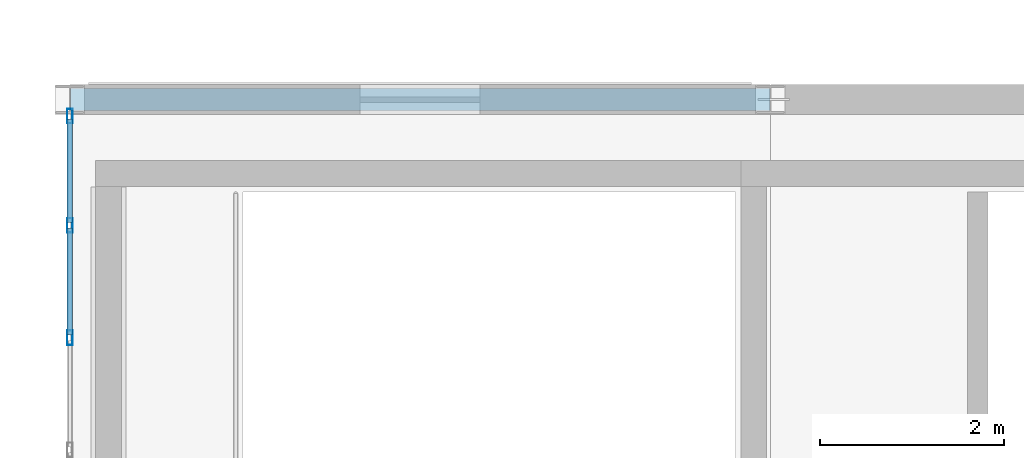
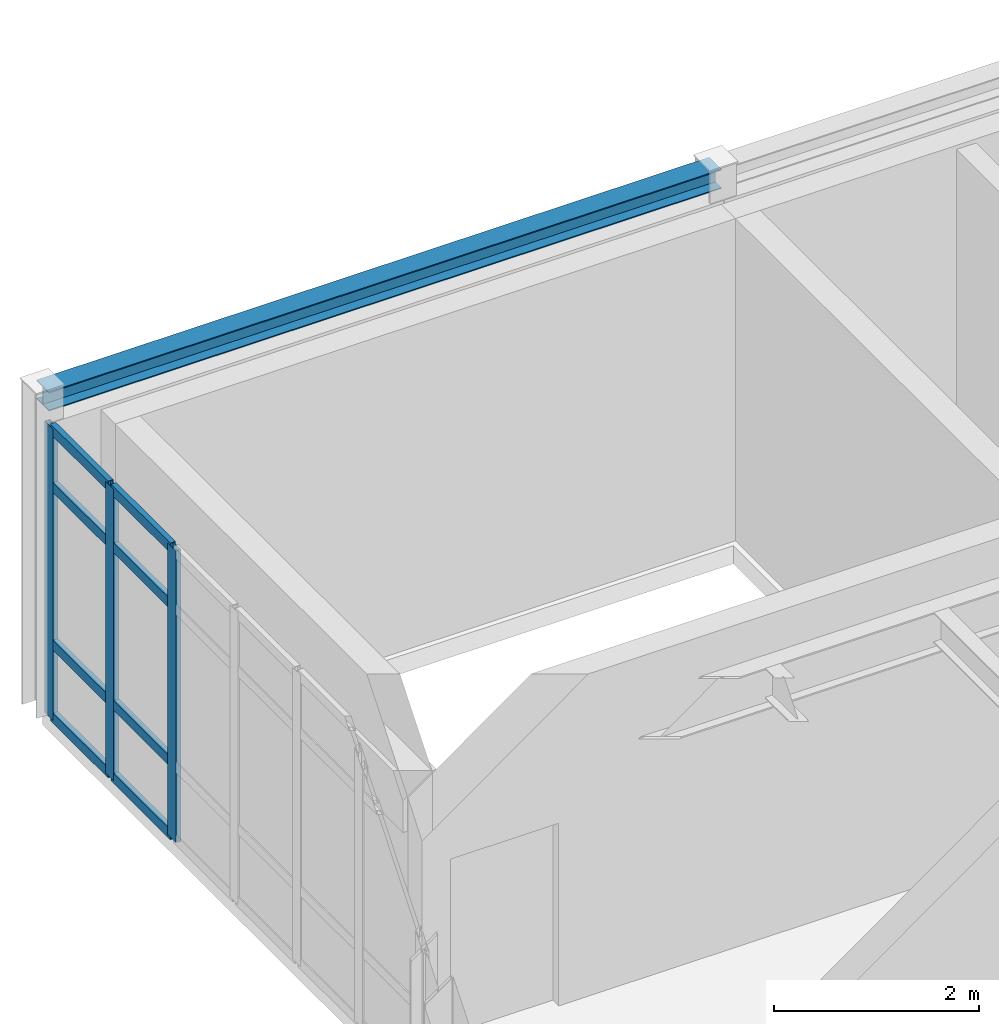
# One storey, part 39 of 114: 11 members, 1 beam, 1 element without a shape of its own.
"""IFC4 building model written with IfcOpenShell, lengths in metres."""

from ifc_helpers import new_model, si_unit, direction, frame, origin, origin_2d, place, context, subcontext, project, spatial, hollow_rectangle, i_section, extrude, material, layer, layer_set, material_profile, profile_set, type_object, element, aggregate, save


model = new_model("IFC4")

# Units and contexts
model_context = context("Model", 3, precision=1e-05, world=origin(), true_north=direction((0.0, 1.0)))
body_context = subcontext(model_context, "Body", "Model", "MODEL_VIEW")
ifc_project = project(units=[si_unit("LENGTHUNIT", "METRE"), si_unit("AREAUNIT", "SQUARE_METRE"), si_unit("VOLUMEUNIT", "CUBIC_METRE"), si_unit("PLANEANGLEUNIT", "RADIAN"), si_unit("MASSUNIT", "GRAM", prefix="KILO")], contexts=[model_context])

# Site, building, storey
site_placement = place(None, origin())
site = spatial("IfcSite", under=ifc_project, at=site_placement, CompositionType="ELEMENT")
building_placement = place(site_placement, origin())
building = spatial("IfcBuilding", under=site, at=building_placement, Name="Montecoro Central Library", CompositionType="ELEMENT")
storey_placement = place(building_placement, frame((0.0, 0.0, 13.260009765625)))
storey = spatial("IfcBuildingStorey", under=building, at=storey_placement, Name="L03", CompositionType="ELEMENT", Elevation=13.260009765625)

# Beam
ifc_material_1 = material(Name="Steel S355", Category="steel")
ifc_material_profile_1 = material_profile(ifc_material_1, i_section(OverallWidth=0.239990234375, OverallDepth=0.22998046875, WebThickness=0.007568359375, FlangeThickness=0.011962890625, at=origin_2d()), Name="HEA 240")
ifc_profile_set_1 = profile_set([ifc_material_profile_1], Name="Steel S355")
beam_type = type_object("IfcBeamType", Name="BM-SP-HEA240", PredefinedType="SPANDREL", material=ifc_profile_set_1)
beam_placement = place(storey_placement, frame((5.0048828125, 111.39990234375, 3.7099609375), z_axis=(1.0, 0.0, 0.0), x_axis=(0.0, 1.0, 0.0)))
element("IfcBeam", 1, at=beam_placement, inside=storey, type_object=beam_type, Name="V4-L03-BX-12-Q", PredefinedType="SPANDREL", context=body_context, shape_type="SweptSolid", body=[
    extrude(i_section(OverallWidth=0.239990234375, OverallDepth=0.22998046875, WebThickness=0.007568359375, FlangeThickness=0.011962890625, at=origin_2d()), origin(), (0.0, 0.0, 1.0), 7.590087890625),
])

# Curtain wall, members
ifc_material_2 = material(Name="Bronze-anodised aluminium and low-E glazing", Category="aluminium")
ifc_layer = layer(ifc_material_2, 0.159912109375)
ifc_layer_set = layer_set([ifc_layer], Name="Bronze-anodised aluminium and low-E glazing")
curtain_wall_type = type_object("IfcCurtainWallType", Name="CWT-052", PredefinedType="NOTDEFINED", material=ifc_layer_set)
curtain_wall_placement = place(storey_placement, origin())
curtain_wall = element("IfcCurtainWall", 2, at=curtain_wall_placement, inside=storey, type_object=curtain_wall_type, Name="V4-L03-CW-W3", PredefinedType="NOTDEFINED")
ifc_material_3 = material(Name="Bronze-anodised aluminium", Category="aluminium")
ifc_material_profile_2 = material_profile(ifc_material_3, hollow_rectangle(XDim=0.06005859375, YDim=0.159912109375, WallThickness=0.00390625, at=origin_2d()), Name="CWM 160x60x4.0")
ifc_profile_set_2 = profile_set([ifc_material_profile_2], Name="Bronze-anodised aluminium")
member_type_1 = type_object("IfcMemberType", Name="CWM-BRZ-60", PredefinedType="MULLION", material=ifc_profile_set_2)
member_1_placement = place(storey_placement, frame((5.0, 111.221923828125, 0.0), z_axis=(0.0, 0.0, 1.0), x_axis=(1.0, 0.0, 0.0)))
member_1 = element("IfcMember", 3, at=member_1_placement, type_object=member_type_1, Name="CW-052 mullion 1", PredefinedType="MULLION", context=body_context, shape_type="SweptSolid", body=[
    extrude(hollow_rectangle(XDim=0.06005859375, YDim=0.159912109375, WallThickness=0.00390625, at=origin_2d()), origin(), (0.0, 0.0, 1.0), 3.47998046875),
])
member_2_placement = place(storey_placement, frame((5.0, 110.03466796875, 0.0), z_axis=(0.0, 0.0, 1.0), x_axis=(1.0, 0.0, 0.0)))
member_2 = element("IfcMember", 4, at=member_2_placement, type_object=member_type_1, Name="CW-052 mullion 2", PredefinedType="MULLION", context=body_context, shape_type="SweptSolid", body=[
    extrude(hollow_rectangle(XDim=0.06005859375, YDim=0.159912109375, WallThickness=0.00390625, at=origin_2d()), origin(), (0.0, 0.0, 1.0), 3.47998046875),
])
member_3_placement = place(storey_placement, frame((5.0, 108.8173828125, 0.0), z_axis=(0.0, 0.0, 1.0), x_axis=(1.0, 0.0, 0.0)))
member_3 = element("IfcMember", 5, at=member_3_placement, type_object=member_type_1, Name="CW-052 mullion 3", PredefinedType="MULLION", context=body_context, shape_type="SweptSolid", body=[
    extrude(hollow_rectangle(XDim=0.06005859375, YDim=0.159912109375, WallThickness=0.00390625, at=origin_2d()), origin(), (0.0, 0.0, 1.0), 3.47998046875),
])
ifc_material_profile_3 = material_profile(ifc_material_3, hollow_rectangle(XDim=0.06005859375, YDim=0.1201171875, WallThickness=0.00390625, at=origin_2d()), Name="CWT 120x60x4.0")
ifc_profile_set_3 = profile_set([ifc_material_profile_3], Name="Bronze-anodised aluminium")
member_type_2 = type_object("IfcMemberType", Name="CWT-BRZ-60", PredefinedType="USERDEFINED", material=ifc_profile_set_3)
member_4_placement = place(storey_placement, frame((5.0, 111.19189453125, 0.030029296875), z_axis=(0.0, -1.0, 0.0), x_axis=(1.0, 0.0, 0.0)))
member_4 = element("IfcMember", 6, at=member_4_placement, type_object=member_type_2, Name="CW-052 transom 1.1", ObjectType="TRANSOM", PredefinedType="USERDEFINED", context=body_context, shape_type="SweptSolid", body=[
    extrude(hollow_rectangle(XDim=0.06005859375, YDim=0.1201171875, WallThickness=0.00390625, at=origin_2d()), origin(), (0.0, 0.0, 1.0), 1.127197265625),
])
member_5_placement = place(storey_placement, frame((5.0, 111.19189453125, 0.89990234375), z_axis=(0.0, -1.0, 0.0), x_axis=(1.0, 0.0, 0.0)))
member_5 = element("IfcMember", 7, at=member_5_placement, type_object=member_type_2, Name="CW-052 transom 1.2", ObjectType="TRANSOM", PredefinedType="USERDEFINED", context=body_context, shape_type="SweptSolid", body=[
    extrude(hollow_rectangle(XDim=0.06005859375, YDim=0.1201171875, WallThickness=0.00390625, at=origin_2d()), origin(), (0.0, 0.0, 1.0), 1.127197265625),
])
member_6_placement = place(storey_placement, frame((5.0, 111.19189453125, 2.780029296875), z_axis=(0.0, -1.0, 0.0), x_axis=(1.0, 0.0, 0.0)))
member_6 = element("IfcMember", 8, at=member_6_placement, type_object=member_type_2, Name="CW-052 transom 1.3", ObjectType="TRANSOM", PredefinedType="USERDEFINED", context=body_context, shape_type="SweptSolid", body=[
    extrude(hollow_rectangle(XDim=0.06005859375, YDim=0.1201171875, WallThickness=0.00390625, at=origin_2d()), origin(), (0.0, 0.0, 1.0), 1.127197265625),
])
member_7_placement = place(storey_placement, frame((5.0, 111.19189453125, 3.449951171875), z_axis=(0.0, -1.0, 0.0), x_axis=(1.0, 0.0, 0.0)))
member_7 = element("IfcMember", 9, at=member_7_placement, type_object=member_type_2, Name="CW-052 transom 1.4", ObjectType="TRANSOM", PredefinedType="USERDEFINED", context=body_context, shape_type="SweptSolid", body=[
    extrude(hollow_rectangle(XDim=0.06005859375, YDim=0.1201171875, WallThickness=0.00390625, at=origin_2d()), origin(), (0.0, 0.0, 1.0), 1.127197265625),
])
member_8_placement = place(storey_placement, frame((5.0, 110.004638671875, 0.030029296875), z_axis=(0.0, -1.0, 0.0), x_axis=(1.0, 0.0, 0.0)))
member_8 = element("IfcMember", 10, at=member_8_placement, type_object=member_type_2, Name="CW-052 transom 2.1", ObjectType="TRANSOM", PredefinedType="USERDEFINED", context=body_context, shape_type="SweptSolid", body=[
    extrude(hollow_rectangle(XDim=0.06005859375, YDim=0.1201171875, WallThickness=0.00390625, at=origin_2d()), origin(), (0.0, 0.0, 1.0), 1.1572265625),
])
member_9_placement = place(storey_placement, frame((5.0, 110.004638671875, 0.89990234375), z_axis=(0.0, -1.0, 0.0), x_axis=(1.0, 0.0, 0.0)))
member_9 = element("IfcMember", 11, at=member_9_placement, type_object=member_type_2, Name="CW-052 transom 2.2", ObjectType="TRANSOM", PredefinedType="USERDEFINED", context=body_context, shape_type="SweptSolid", body=[
    extrude(hollow_rectangle(XDim=0.06005859375, YDim=0.1201171875, WallThickness=0.00390625, at=origin_2d()), origin(), (0.0, 0.0, 1.0), 1.1572265625),
])
member_10_placement = place(storey_placement, frame((5.0, 110.004638671875, 2.780029296875), z_axis=(0.0, -1.0, 0.0), x_axis=(1.0, 0.0, 0.0)))
member_10 = element("IfcMember", 12, at=member_10_placement, type_object=member_type_2, Name="CW-052 transom 2.3", ObjectType="TRANSOM", PredefinedType="USERDEFINED", context=body_context, shape_type="SweptSolid", body=[
    extrude(hollow_rectangle(XDim=0.06005859375, YDim=0.1201171875, WallThickness=0.00390625, at=origin_2d()), origin(), (0.0, 0.0, 1.0), 1.1572265625),
])
member_11_placement = place(storey_placement, frame((5.0, 110.004638671875, 3.449951171875), z_axis=(0.0, -1.0, 0.0), x_axis=(1.0, 0.0, 0.0)))
member_11 = element("IfcMember", 13, at=member_11_placement, type_object=member_type_2, Name="CW-052 transom 2.4", ObjectType="TRANSOM", PredefinedType="USERDEFINED", context=body_context, shape_type="SweptSolid", body=[
    extrude(hollow_rectangle(XDim=0.06005859375, YDim=0.1201171875, WallThickness=0.00390625, at=origin_2d()), origin(), (0.0, 0.0, 1.0), 1.1572265625),
])
aggregate(curtain_wall, [member_1, member_2, member_3, member_4, member_5, member_6, member_7, member_8, member_9, member_10, member_11])

save(model, "model.ifc")
